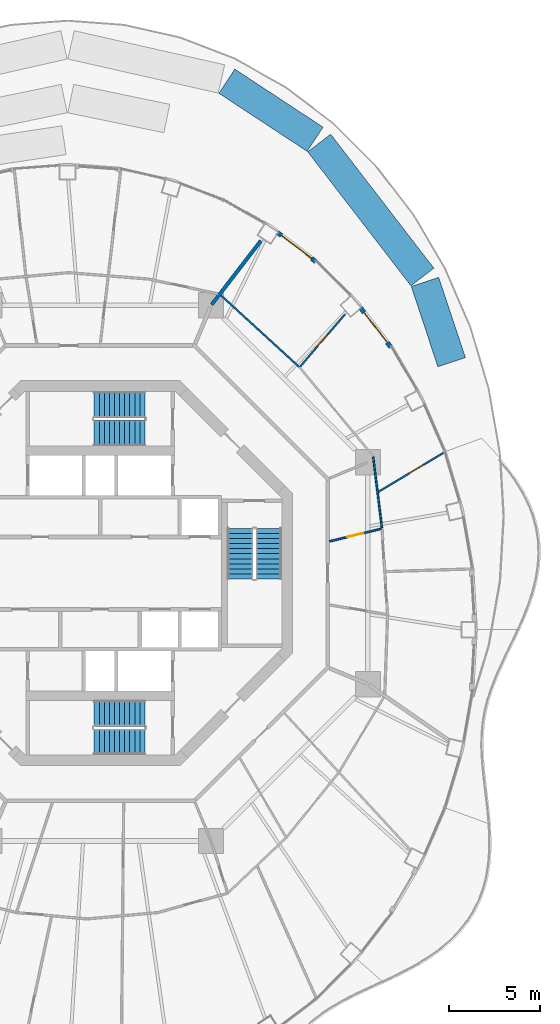
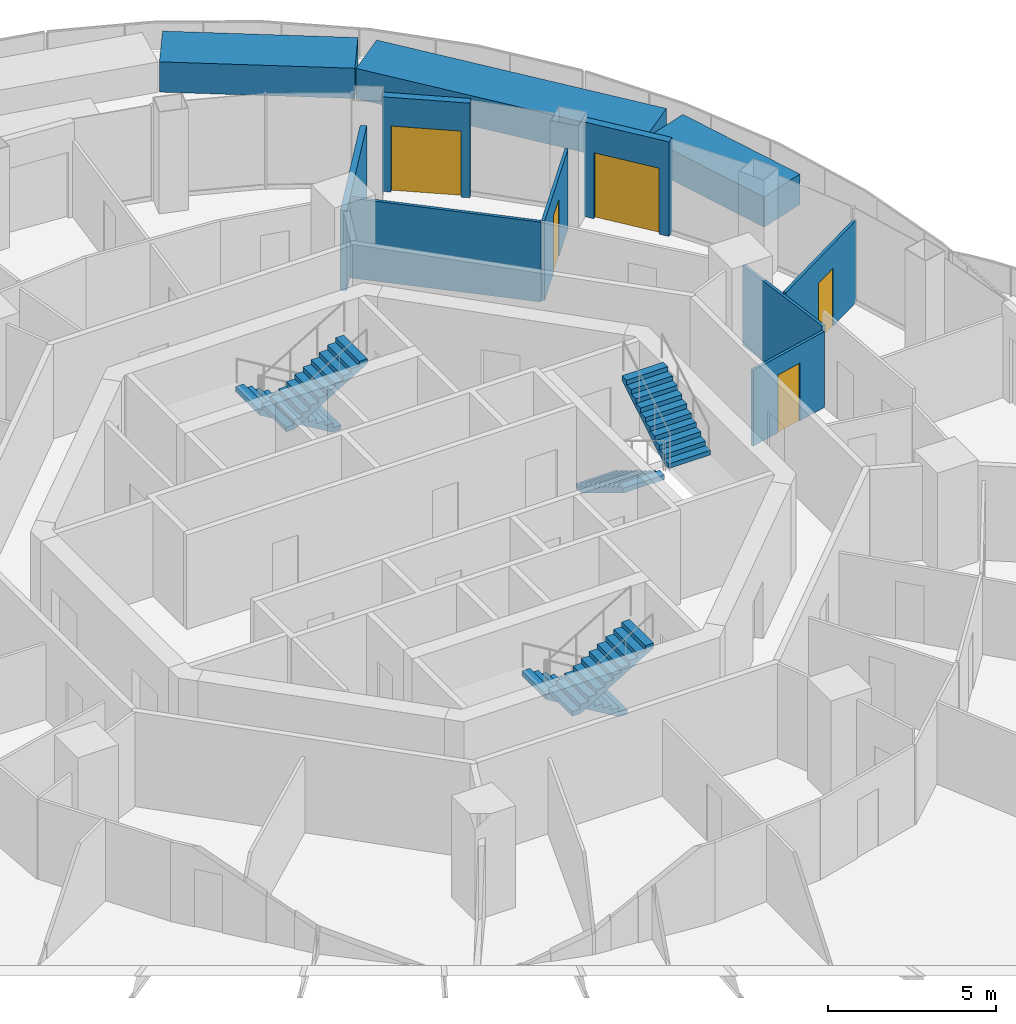
# One storey, part 14 of 17: 11 walls, 6 stair flights, 5 doors, 5 openings, 3 elements without a shape of their own.
"""IFC4 building model written with IfcOpenShell, lengths in metres."""

from ifc_helpers import new_model, si_unit, direction, frame, frame_2d, origin, place, context, subcontext, project, spatial, polyline, rectangle, outline, extrude, material, layer, layer_set, type_object, element, fill, aggregate, save


model = new_model("IFC4")

# Units and contexts
model_context = context("Model", 3, precision=1e-05, world=origin(), true_north=direction((0.0, 1.0)))
body_context = subcontext(model_context, "Body", "Model", "MODEL_VIEW")
ifc_project = project(units=[si_unit("LENGTHUNIT", "METRE"), si_unit("AREAUNIT", "SQUARE_METRE"), si_unit("VOLUMEUNIT", "CUBIC_METRE"), si_unit("PLANEANGLEUNIT", "RADIAN"), si_unit("MASSUNIT", "GRAM", prefix="KILO")], contexts=[model_context])

# Site, building, storey
site_placement = place(None, origin())
site = spatial("IfcSite", under=ifc_project, at=site_placement, CompositionType="ELEMENT")
building_placement = place(site_placement, origin())
building = spatial("IfcBuilding", under=site, at=building_placement, Name="Nagisa Residences", CompositionType="ELEMENT")
storey_placement = place(building_placement, frame((0.0, 0.0, 258.5)))
storey = spatial("IfcBuildingStorey", under=building, at=storey_placement, Name="L65", CompositionType="ELEMENT", Elevation=258.5)

# Wall
ifc_material_1 = material(Name="Gypsum board on steel studs", Category="steel")
ifc_layer_1 = layer(ifc_material_1, 0.199951171875)
ifc_layer_set_1 = layer_set([ifc_layer_1], Name="Apartment compartment wall EI60 200")
wall_type_1 = type_object("IfcWallType", Name="Apartment compartment wall EI60 200", PredefinedType="PARTITIONING", material=ifc_layer_set_1)
wall_1_placement = place(storey_placement, frame((6.153564453125, 14.821533203125, 0.0), z_axis=(0.0, 0.0, 1.0), x_axis=(0.610687612043, 0.791871606068, 0.0)))
element("IfcWall", 1, at=wall_1_placement, inside=storey, type_object=wall_type_1, Name="wall:L65:u01", PredefinedType="PARTITIONING", context=body_context, shape_type="SweptSolid", body=[
    extrude(rectangle(XDim=4.454833984375, YDim=0.199951171875, at=frame_2d((2.2275390625, 0.0))), origin(), (0.0, 0.0, 1.0), 2.905029296875),
])

# Wall, opening, door
ifc_material_2 = material(Name="Gypsum board on steel studs", Category="steel")
ifc_layer_2 = layer(ifc_material_2, 0.10009765625)
ifc_layer_set_2 = layer_set([ifc_layer_2], Name="Apartment partition 100")
wall_type_2 = type_object("IfcWallType", Name="Apartment partition 100", PredefinedType="PARTITIONING", material=ifc_layer_set_2)
wall_2_placement = place(storey_placement, frame((12.661865234375, 1.75830078125, 0.0), z_axis=(0.0, 0.0, 1.0), x_axis=(0.972004827836, 0.234960879007, 0.0)))
wall_2 = element("IfcWall", 2, at=wall_2_placement, inside=storey, type_object=wall_type_2, Name="wall:L65:u20", PredefinedType="PARTITIONING", context=body_context, shape_type="SweptSolid", body=[
    extrude(rectangle(XDim=2.93017578125, YDim=0.10009765625, at=frame_2d((1.465087890625, 0.0))), origin(), (0.0, 0.0, 1.0), 2.761962890625),
])
opening_1_placement = place(wall_2_placement, frame((1.014892578125, 0.0, 0.0)))
opening_1 = element("IfcOpeningElement", 3, at=opening_1_placement, cuts=wall_2, Name="Opening L65-U03", PredefinedType="OPENING", context=body_context, shape_type="SweptSolid", body=[
    extrude(rectangle(XDim=0.89990234375, YDim=2.10009765625, at=frame_2d((0.449951171875, 1.050048828125))), frame((0.0, 0.06005859375, 0.0), z_axis=(0.0, -1.0, 0.0), x_axis=(1.0, 0.0, 0.0)), (0.0, 0.0, 1.0), 0.1201171875),
])
ifc_material_3 = material(Name="Timber door set", Category="wood")
door_type_1 = type_object("IfcDoorType", Name="Apartment door 900x2100", OperationType="NOTDEFINED", PredefinedType="DOOR", material=ifc_material_3)
door_1_placement = place(opening_1_placement, origin())
door_1 = element("IfcDoor", 4, at=door_1_placement, inside=storey, type_object=door_type_1, Name="Door to family bathroom, Apartment 65A", OperationType="SINGLE_SWING_LEFT", OverallHeight=2.10009765625, OverallWidth=0.89990234375, PredefinedType="DOOR", context=body_context, shape_type="SweptSolid", body=[
    extrude(rectangle(XDim=0.89990234375, YDim=2.10009765625, at=frame_2d((0.449951171875, 1.050048828125))), frame((0.0, 0.02490234375, 0.0), z_axis=(0.0, -1.0, 0.0), x_axis=(1.0, 0.0, 0.0)), (0.0, 0.0, 1.0), 0.050048828125),
])
fill(opening_1, door_1)

# Wall
wall_3_placement = place(storey_placement, frame((15.552490234375, 2.50830078125, 0.0), z_axis=(0.0, 0.0, 1.0), x_axis=(-0.12196631785, 0.992534239868, 0.0)))
element("IfcWall", 5, at=wall_3_placement, inside=storey, type_object=wall_type_2, Name="wall:L65:u21", PredefinedType="PARTITIONING", context=body_context, shape_type="SweptSolid", body=[
    extrude(rectangle(XDim=3.937255859375, YDim=0.10009765625, at=frame_2d((1.96875, 0.0))), origin(), (0.0, 0.0, 1.0), 2.905029296875),
])

# Wall, opening, door
wall_4_placement = place(storey_placement, frame((15.355224609375, 4.488037109375, 0.0), z_axis=(0.0, 0.0, 1.0), x_axis=(0.85763237524, 0.514263268123, 0.0)))
wall_4 = element("IfcWall", 6, at=wall_4_placement, inside=storey, type_object=wall_type_2, Name="wall:L65:u22", PredefinedType="PARTITIONING", context=body_context, shape_type="SweptSolid", body=[
    extrude(rectangle(XDim=4.324462890625, YDim=0.10009765625, at=frame_2d((2.162109375, 0.0))), origin(), (0.0, 0.0, 1.0), 2.98291015625),
])
opening_2_placement = place(wall_4_placement, frame((1.984619140625, 0.0, 0.0)))
opening_2 = element("IfcOpeningElement", 7, at=opening_2_placement, cuts=wall_4, Name="Opening L65-U06", PredefinedType="OPENING", context=body_context, shape_type="SweptSolid", body=[
    extrude(rectangle(XDim=0.89990234375, YDim=2.10009765625, at=frame_2d((0.449951171875, 1.050048828125))), frame((0.0, 0.06005859375, 0.0), z_axis=(0.0, -1.0, 0.0), x_axis=(1.0, 0.0, 0.0)), (0.0, 0.0, 1.0), 0.1201171875),
])
door_2_placement = place(opening_2_placement, origin())
door_2 = element("IfcDoor", 8, at=door_2_placement, inside=storey, type_object=door_type_1, Name="Door to kitchen, Apartment 65A", OperationType="SINGLE_SWING_RIGHT", OverallHeight=2.10009765625, OverallWidth=0.89990234375, PredefinedType="DOOR", context=body_context, shape_type="SweptSolid", body=[
    extrude(rectangle(XDim=0.89990234375, YDim=2.10009765625, at=frame_2d((0.449951171875, 1.050048828125))), frame((0.0, 0.02490234375, 0.0), z_axis=(0.0, -1.0, 0.0), x_axis=(1.0, 0.0, 0.0)), (0.0, 0.0, 1.0), 0.050048828125),
])
fill(opening_2, door_2)

wall_5_placement = place(storey_placement, frame((11.041259765625, 11.402099609375, 0.0), z_axis=(0.0, 0.0, 1.0), x_axis=(0.650558544325, 0.759456108282, 0.0)))
wall_5 = element("IfcWall", 9, at=wall_5_placement, inside=storey, type_object=wall_type_2, Name="wall:L65:u25", PredefinedType="PARTITIONING", context=body_context, shape_type="SweptSolid", body=[
    extrude(rectangle(XDim=3.800048828125, YDim=0.10009765625, at=frame_2d((1.89990234375, 0.0))), origin(), (0.0, 0.0, 1.0), 2.905029296875),
])
opening_3_placement = place(wall_5_placement, frame((1.4501953125, 0.0, 0.0)))
opening_3 = element("IfcOpeningElement", 10, at=opening_3_placement, cuts=wall_5, Name="Opening L65-U07", PredefinedType="OPENING", context=body_context, shape_type="SweptSolid", body=[
    extrude(rectangle(XDim=0.89990234375, YDim=2.10009765625, at=frame_2d((0.449951171875, 1.050048828125))), frame((0.0, 0.06005859375, 0.0), z_axis=(0.0, -1.0, 0.0), x_axis=(1.0, 0.0, 0.0)), (0.0, 0.0, 1.0), 0.1201171875),
])
door_3_placement = place(opening_3_placement, origin())
door_3 = element("IfcDoor", 11, at=door_3_placement, inside=storey, type_object=door_type_1, Name="Door to bedroom, Apartment 65A", OperationType="SINGLE_SWING_LEFT", OverallHeight=2.10009765625, OverallWidth=0.89990234375, PredefinedType="DOOR", context=body_context, shape_type="SweptSolid", body=[
    extrude(rectangle(XDim=0.89990234375, YDim=2.10009765625, at=frame_2d((0.449951171875, 1.050048828125))), frame((0.0, 0.02490234375, 0.0), z_axis=(0.0, -1.0, 0.0), x_axis=(1.0, 0.0, 0.0)), (0.0, 0.0, 1.0), 0.050048828125),
])
fill(opening_3, door_3)

# Wall
wall_6_placement = place(storey_placement, frame((10.9716796875, 11.397705078125, 0.0), z_axis=(0.0, 0.0, 1.0), x_axis=(-0.737830272434, 0.674986288069, 0.0)))
element("IfcWall", 12, at=wall_6_placement, inside=storey, type_object=wall_type_2, Name="wall:L65:u26", PredefinedType="PARTITIONING", context=body_context, shape_type="SweptSolid", body=[
    extrude(rectangle(XDim=5.827392578125, YDim=0.10009765625, at=frame_2d((2.91357421875, 0.0))), origin(), (0.0, 0.0, 1.0), 2.905029296875),
])

# Wall, opening, door
ifc_material_4 = material(Name="Precast concrete C40/50", Category="concrete")
ifc_layer_3 = layer(ifc_material_4, 0.25)
ifc_layer_set_3 = layer_set([ifc_layer_3], Name="BALCONY DOOR WALL 250")
wall_type_3 = type_object("IfcWallType", Name="BALCONY DOOR WALL 250", PredefinedType="SOLIDWALL", material=ifc_layer_set_3)
wall_7_placement = place(storey_placement, frame((14.370361328125, 14.650390625, 0.0), z_axis=(0.0, 0.0, 1.0), x_axis=(0.610475325435, -0.79203527512, 0.0)))
wall_7 = element("IfcWall", 13, at=wall_7_placement, inside=storey, type_object=wall_type_3, Name="wall:L65:bay05", PredefinedType="SOLIDWALL", context=body_context, shape_type="SweptSolid", body=[
    extrude(rectangle(XDim=2.745849609375, YDim=0.25, at=frame_2d((1.373046875, 0.0))), origin(), (0.0, 0.0, 1.0), 3.43994140625),
])
opening_4_placement = place(wall_7_placement, frame((0.322998046875, 0.0, 0.0)))
opening_4 = element("IfcOpeningElement", 14, at=opening_4_placement, cuts=wall_7, Name="Opening BD-L65-02", PredefinedType="OPENING", context=body_context, shape_type="SweptSolid", body=[
    extrude(rectangle(XDim=2.10009765625, YDim=2.39990234375, at=frame_2d((1.050048828125, 1.199951171875))), frame((0.0, 0.135009765625, 0.0), z_axis=(0.0, -1.0, 0.0), x_axis=(1.0, 0.0, 0.0)), (0.0, 0.0, 1.0), 0.27001953125),
])
ifc_material_5 = material(Name="Aluminium and clear glass", Category="aluminium")
door_type_2 = type_object("IfcDoorType", Name="BALCONY SLIDING DOOR 2100x2400", OperationType="SLIDING_TO_LEFT", PredefinedType="DOOR", material=ifc_material_5)
door_4_placement = place(opening_4_placement, origin())
door_4 = element("IfcDoor", 15, at=door_4_placement, inside=storey, type_object=door_type_2, Name="door:L65:bay05", OperationType="SLIDING_TO_LEFT", OverallHeight=2.39990234375, OverallWidth=2.10009765625, PredefinedType="DOOR", context=body_context, shape_type="SweptSolid", body=[
    extrude(rectangle(XDim=2.10009765625, YDim=2.39990234375, at=frame_2d((1.050048828125, 1.199951171875))), frame((0.0, 0.02490234375, 0.0), z_axis=(0.0, -1.0, 0.0), x_axis=(1.0, 0.0, 0.0)), (0.0, 0.0, 1.0), 0.050048828125),
])
fill(opening_4, door_4)

wall_8_placement = place(storey_placement, frame((9.79248046875, 18.802001953125, 0.0), z_axis=(0.0, 0.0, 1.0), x_axis=(0.796010739377, -0.605282498339, 0.0)))
wall_8 = element("IfcWall", 16, at=wall_8_placement, inside=storey, type_object=wall_type_3, Name="wall:L65:bay07", PredefinedType="SOLIDWALL", context=body_context, shape_type="SweptSolid", body=[
    extrude(rectangle(XDim=2.640625, YDim=0.25, at=frame_2d((1.3203125, 0.0))), origin(), (0.0, 0.0, 1.0), 3.43994140625),
])
opening_5_placement = place(wall_8_placement, frame((0.270263671875, 0.0, 0.0)))
opening_5 = element("IfcOpeningElement", 17, at=opening_5_placement, cuts=wall_8, Name="Opening BD-L65-03", PredefinedType="OPENING", context=body_context, shape_type="SweptSolid", body=[
    extrude(rectangle(XDim=2.10009765625, YDim=2.39990234375, at=frame_2d((1.050048828125, 1.199951171875))), frame((0.0, 0.135009765625, 0.0), z_axis=(0.0, -1.0, 0.0), x_axis=(1.0, 0.0, 0.0)), (0.0, 0.0, 1.0), 0.27001953125),
])
door_5_placement = place(opening_5_placement, origin())
door_5 = element("IfcDoor", 18, at=door_5_placement, inside=storey, type_object=door_type_2, Name="door:L65:bay07", OperationType="SLIDING_TO_LEFT", OverallHeight=2.39990234375, OverallWidth=2.10009765625, PredefinedType="DOOR", context=body_context, shape_type="SweptSolid", body=[
    extrude(rectangle(XDim=2.10009765625, YDim=2.39990234375, at=frame_2d((1.050048828125, 1.199951171875))), frame((0.0, 0.02490234375, 0.0), z_axis=(0.0, -1.0, 0.0), x_axis=(1.0, 0.0, 0.0)), (0.0, 0.0, 1.0), 0.050048828125),
])
fill(opening_5, door_5)

# Walls
ifc_material_6 = material(Name="Precast concrete C30/37", Category="concrete")
ifc_layer_4 = layer(ifc_material_6, 1.60009765625)
ifc_layer_set_4 = layer_set([ifc_layer_4], Name="PLANTER")
wall_type_4 = type_object("IfcWallType", Name="PLANTER", PredefinedType="SOLIDWALL", material=ifc_layer_set_4)
wall_9_placement = place(storey_placement, frame((6.993896484375, 27.153076171875, 0.0), z_axis=(0.0, 0.0, 1.0), x_axis=(0.835703283826, -0.549181228195, 0.0)))
element("IfcWall", 19, at=wall_9_placement, inside=storey, type_object=wall_type_4, Name="planter:L65:garden008", PredefinedType="SOLIDWALL", context=body_context, shape_type="SweptSolid", body=[
    extrude(rectangle(XDim=5.83154296875, YDim=1.60009765625, at=frame_2d((2.915771484375, 0.0))), origin(), (0.0, 0.0, 1.0), 1.10009765625),
])
wall_10_placement = place(storey_placement, frame((12.0908203125, 23.743408203125, 0.0), z_axis=(0.0, 0.0, 1.0), x_axis=(0.61025018564, -0.792208754639, 0.0)))
element("IfcWall", 20, at=wall_10_placement, inside=storey, type_object=wall_type_4, Name="planter:L65:garden009", PredefinedType="SOLIDWALL", context=body_context, shape_type="SweptSolid", body=[
    extrude(rectangle(XDim=9.337158203125, YDim=1.60009765625, at=frame_2d((4.66845703125, 0.0))), origin(), (0.0, 0.0, 1.0), 1.10009765625),
])
wall_11_placement = place(storey_placement, frame((17.93310546875, 16.074951171875, 0.0), z_axis=(0.0, 0.0, 1.0), x_axis=(0.314563421238, -0.949236458433, 0.0)))
element("IfcWall", 21, at=wall_11_placement, inside=storey, type_object=wall_type_4, Name="planter:L65:garden010", PredefinedType="SOLIDWALL", context=body_context, shape_type="SweptSolid", body=[
    extrude(rectangle(XDim=4.666015625, YDim=1.60009765625, at=frame_2d((2.3330078125, 0.0))), origin(), (0.0, 0.0, 1.0), 1.10009765625),
])

# Stair, stair flights
ifc_material_7 = material(Name="Concrete C60", Category="concrete")
stair_type = type_object("IfcStairType", Name="Exit stair", PredefinedType="HALF_TURN_STAIR", material=ifc_material_7)
stair_1_placement = place(storey_placement, origin())
stair_1 = element("IfcStair", 22, at=stair_1_placement, inside=storey, type_object=stair_type, Name="L65 Exit stair E", PredefinedType="HALF_TURN_STAIR")
ifc_material_8 = material(Name="Concrete C60", Category="concrete")
stair_flight_type = type_object("IfcStairFlightType", Name="Exit stair flight", PredefinedType="STRAIGHT", material=ifc_material_8)
stair_flight_1_placement = place(storey_placement, frame((7.737060546875, 2.47509765625, 0.0), z_axis=(0.0, 0.0, 1.0), x_axis=(0.0, -1.0, 0.0)))
stair_flight_1 = element("IfcStairFlight", 23, at=stair_flight_1_placement, type_object=stair_flight_type, Name="ST-E flight 1", NumberOfRisers=11, NumberOfTreads=10, PredefinedType="STRAIGHT", RiserHeight=0.168181818, TreadLength=0.28, context=body_context, shape_type="SweptSolid", body=[
    extrude(outline(polyline([(0.0, 0.0), (0.0, 0.168212890625), (0.280029296875, 0.168212890625), (0.280029296875, 0.33642578125), (0.56005859375, 0.33642578125), (0.56005859375, 0.504638671875), (0.840087890625, 0.504638671875), (0.840087890625, 0.672607421875), (1.1201171875, 0.672607421875), (1.1201171875, 0.8408203125), (1.39990234375, 0.8408203125), (1.39990234375, 1.009033203125), (1.679931640625, 1.009033203125), (1.679931640625, 1.17724609375), (1.9599609375, 1.17724609375), (1.9599609375, 1.345458984375), (2.239990234375, 1.345458984375), (2.239990234375, 1.513671875), (2.52001953125, 1.513671875), (2.52001953125, 1.681884765625), (2.800048828125, 1.681884765625), (2.800048828125, 1.85009765625), (2.800048828125, 1.5068359375), (0.291015625, 0.0), (0.0, 0.0)])), frame((0.0, 0.71240234375, 0.0), z_axis=(0.0, -1.0, 0.0), x_axis=(1.0, 0.0, 0.0)), (0.0, 0.0, 1.0), 1.425048828125),
])
stair_flight_2_placement = place(storey_placement, frame((9.31201171875, -0.324951171875, 1.85009765625), z_axis=(0.0, 0.0, 1.0), x_axis=(0.0, 1.0, 0.0)))
stair_flight_2 = element("IfcStairFlight", 24, at=stair_flight_2_placement, type_object=stair_flight_type, Name="ST-E flight 2", NumberOfRisers=11, NumberOfTreads=10, PredefinedType="STRAIGHT", RiserHeight=0.168181818, TreadLength=0.28, context=body_context, shape_type="SweptSolid", body=[
    extrude(outline(polyline([(0.0, 0.0), (0.0, 0.168212890625), (0.280029296875, 0.168212890625), (0.280029296875, 0.33642578125), (0.56005859375, 0.33642578125), (0.56005859375, 0.504638671875), (0.840087890625, 0.504638671875), (0.840087890625, 0.672607421875), (1.1201171875, 0.672607421875), (1.1201171875, 0.8408203125), (1.39990234375, 0.8408203125), (1.39990234375, 1.009033203125), (1.679931640625, 1.009033203125), (1.679931640625, 1.17724609375), (1.9599609375, 1.17724609375), (1.9599609375, 1.345458984375), (2.239990234375, 1.345458984375), (2.239990234375, 1.513671875), (2.52001953125, 1.513671875), (2.52001953125, 1.681884765625), (2.800048828125, 1.681884765625), (2.800048828125, 1.85009765625), (2.800048828125, 1.5068359375), (0.291015625, 0.0), (0.0, 0.0)])), frame((0.0, 0.71240234375, 0.0), z_axis=(0.0, -1.0, 0.0), x_axis=(1.0, 0.0, 0.0)), (0.0, 0.0, 1.0), 1.425048828125),
])
aggregate(stair_1, [stair_flight_1, stair_flight_2])

stair_2_placement = place(storey_placement, origin())
stair_2 = element("IfcStair", 25, at=stair_2_placement, inside=storey, type_object=stair_type, Name="L65 Exit stair N", PredefinedType="HALF_TURN_STAIR")
stair_flight_3_placement = place(storey_placement, frame((2.47509765625, 9.31201171875, 0.0), z_axis=(0.0, 0.0, 1.0), x_axis=(-1.0, 0.0, 0.0)))
stair_flight_3 = element("IfcStairFlight", 26, at=stair_flight_3_placement, type_object=stair_flight_type, Name="ST-N flight 1", NumberOfRisers=11, NumberOfTreads=10, PredefinedType="STRAIGHT", RiserHeight=0.168181818, TreadLength=0.28, context=body_context, shape_type="SweptSolid", body=[
    extrude(outline(polyline([(0.0, 0.0), (0.0, 0.168212890625), (0.280029296875, 0.168212890625), (0.280029296875, 0.33642578125), (0.56005859375, 0.33642578125), (0.56005859375, 0.504638671875), (0.840087890625, 0.504638671875), (0.840087890625, 0.672607421875), (1.1201171875, 0.672607421875), (1.1201171875, 0.8408203125), (1.39990234375, 0.8408203125), (1.39990234375, 1.009033203125), (1.679931640625, 1.009033203125), (1.679931640625, 1.17724609375), (1.9599609375, 1.17724609375), (1.9599609375, 1.345458984375), (2.239990234375, 1.345458984375), (2.239990234375, 1.513671875), (2.52001953125, 1.513671875), (2.52001953125, 1.681884765625), (2.800048828125, 1.681884765625), (2.800048828125, 1.85009765625), (2.800048828125, 1.5068359375), (0.291015625, 0.0), (0.0, 0.0)])), frame((0.0, 0.71240234375, 0.0), z_axis=(0.0, -1.0, 0.0), x_axis=(1.0, 0.0, 0.0)), (0.0, 0.0, 1.0), 1.425048828125),
])
stair_flight_4_placement = place(storey_placement, frame((-0.324951171875, 7.737060546875, 1.85009765625), z_axis=(0.0, 0.0, 1.0), x_axis=(1.0, 0.0, 0.0)))
stair_flight_4 = element("IfcStairFlight", 27, at=stair_flight_4_placement, type_object=stair_flight_type, Name="ST-N flight 2", NumberOfRisers=11, NumberOfTreads=10, PredefinedType="STRAIGHT", RiserHeight=0.168181818, TreadLength=0.28, context=body_context, shape_type="SweptSolid", body=[
    extrude(outline(polyline([(0.0, 0.0), (0.0, 0.168212890625), (0.280029296875, 0.168212890625), (0.280029296875, 0.33642578125), (0.56005859375, 0.33642578125), (0.56005859375, 0.504638671875), (0.840087890625, 0.504638671875), (0.840087890625, 0.672607421875), (1.1201171875, 0.672607421875), (1.1201171875, 0.8408203125), (1.39990234375, 0.8408203125), (1.39990234375, 1.009033203125), (1.679931640625, 1.009033203125), (1.679931640625, 1.17724609375), (1.9599609375, 1.17724609375), (1.9599609375, 1.345458984375), (2.239990234375, 1.345458984375), (2.239990234375, 1.513671875), (2.52001953125, 1.513671875), (2.52001953125, 1.681884765625), (2.800048828125, 1.681884765625), (2.800048828125, 1.85009765625), (2.800048828125, 1.5068359375), (0.291015625, 0.0), (0.0, 0.0)])), frame((0.0, 0.71240234375, 0.0), z_axis=(0.0, -1.0, 0.0), x_axis=(1.0, 0.0, 0.0)), (0.0, 0.0, 1.0), 1.425048828125),
])
aggregate(stair_2, [stair_flight_3, stair_flight_4])

stair_3_placement = place(storey_placement, origin())
stair_3 = element("IfcStair", 28, at=stair_3_placement, inside=storey, type_object=stair_type, Name="L65 Exit stair S", PredefinedType="HALF_TURN_STAIR")
stair_flight_5_placement = place(storey_placement, frame((2.47509765625, -7.737060546875, 0.0), z_axis=(0.0, 0.0, 1.0), x_axis=(-1.0, 0.0, 0.0)))
stair_flight_5 = element("IfcStairFlight", 29, at=stair_flight_5_placement, type_object=stair_flight_type, Name="ST-S flight 1", NumberOfRisers=11, NumberOfTreads=10, PredefinedType="STRAIGHT", RiserHeight=0.168181818, TreadLength=0.28, context=body_context, shape_type="SweptSolid", body=[
    extrude(outline(polyline([(0.0, 0.0), (0.0, 0.168212890625), (0.280029296875, 0.168212890625), (0.280029296875, 0.33642578125), (0.56005859375, 0.33642578125), (0.56005859375, 0.504638671875), (0.840087890625, 0.504638671875), (0.840087890625, 0.672607421875), (1.1201171875, 0.672607421875), (1.1201171875, 0.8408203125), (1.39990234375, 0.8408203125), (1.39990234375, 1.009033203125), (1.679931640625, 1.009033203125), (1.679931640625, 1.17724609375), (1.9599609375, 1.17724609375), (1.9599609375, 1.345458984375), (2.239990234375, 1.345458984375), (2.239990234375, 1.513671875), (2.52001953125, 1.513671875), (2.52001953125, 1.681884765625), (2.800048828125, 1.681884765625), (2.800048828125, 1.85009765625), (2.800048828125, 1.5068359375), (0.291015625, 0.0), (0.0, 0.0)])), frame((0.0, 0.71240234375, 0.0), z_axis=(0.0, -1.0, 0.0), x_axis=(1.0, 0.0, 0.0)), (0.0, 0.0, 1.0), 1.425048828125),
])
stair_flight_6_placement = place(storey_placement, frame((-0.324951171875, -9.31201171875, 1.85009765625), z_axis=(0.0, 0.0, 1.0), x_axis=(1.0, 0.0, 0.0)))
stair_flight_6 = element("IfcStairFlight", 30, at=stair_flight_6_placement, type_object=stair_flight_type, Name="ST-S flight 2", NumberOfRisers=11, NumberOfTreads=10, PredefinedType="STRAIGHT", RiserHeight=0.168181818, TreadLength=0.28, context=body_context, shape_type="SweptSolid", body=[
    extrude(outline(polyline([(0.0, 0.0), (0.0, 0.168212890625), (0.280029296875, 0.168212890625), (0.280029296875, 0.33642578125), (0.56005859375, 0.33642578125), (0.56005859375, 0.504638671875), (0.840087890625, 0.504638671875), (0.840087890625, 0.672607421875), (1.1201171875, 0.672607421875), (1.1201171875, 0.8408203125), (1.39990234375, 0.8408203125), (1.39990234375, 1.009033203125), (1.679931640625, 1.009033203125), (1.679931640625, 1.17724609375), (1.9599609375, 1.17724609375), (1.9599609375, 1.345458984375), (2.239990234375, 1.345458984375), (2.239990234375, 1.513671875), (2.52001953125, 1.513671875), (2.52001953125, 1.681884765625), (2.800048828125, 1.681884765625), (2.800048828125, 1.85009765625), (2.800048828125, 1.5068359375), (0.291015625, 0.0), (0.0, 0.0)])), frame((0.0, 0.71240234375, 0.0), z_axis=(0.0, -1.0, 0.0), x_axis=(1.0, 0.0, 0.0)), (0.0, 0.0, 1.0), 1.425048828125),
])
aggregate(stair_3, [stair_flight_5, stair_flight_6])

save(model, "model.ifc")
